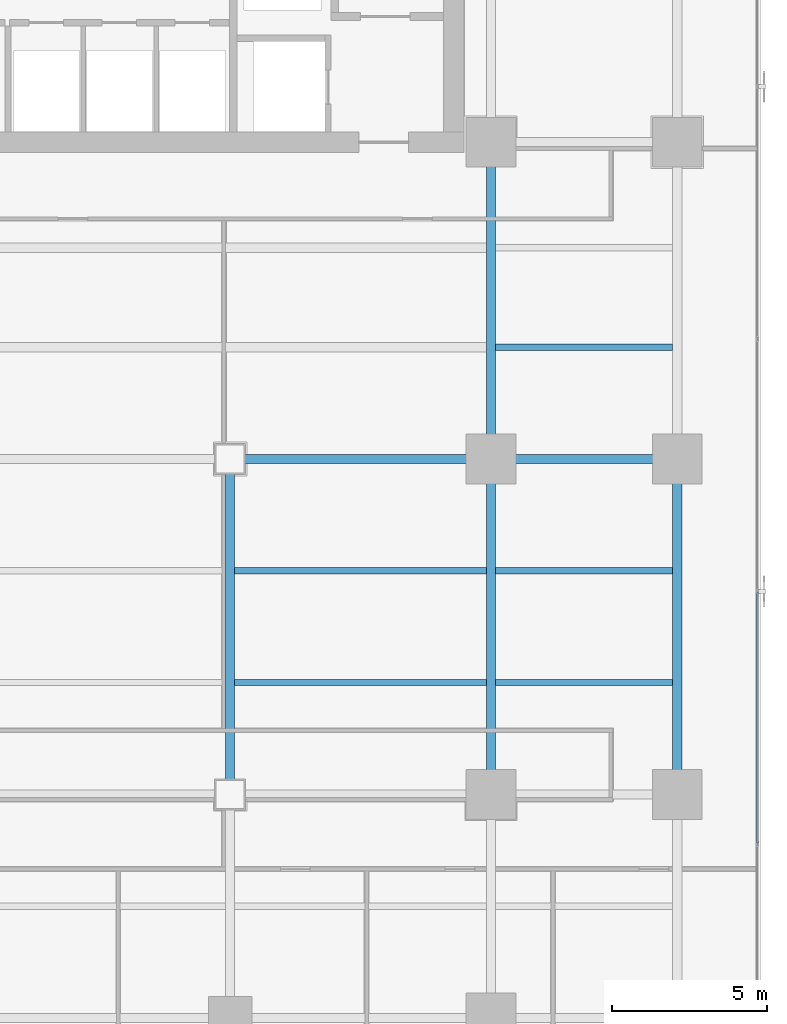
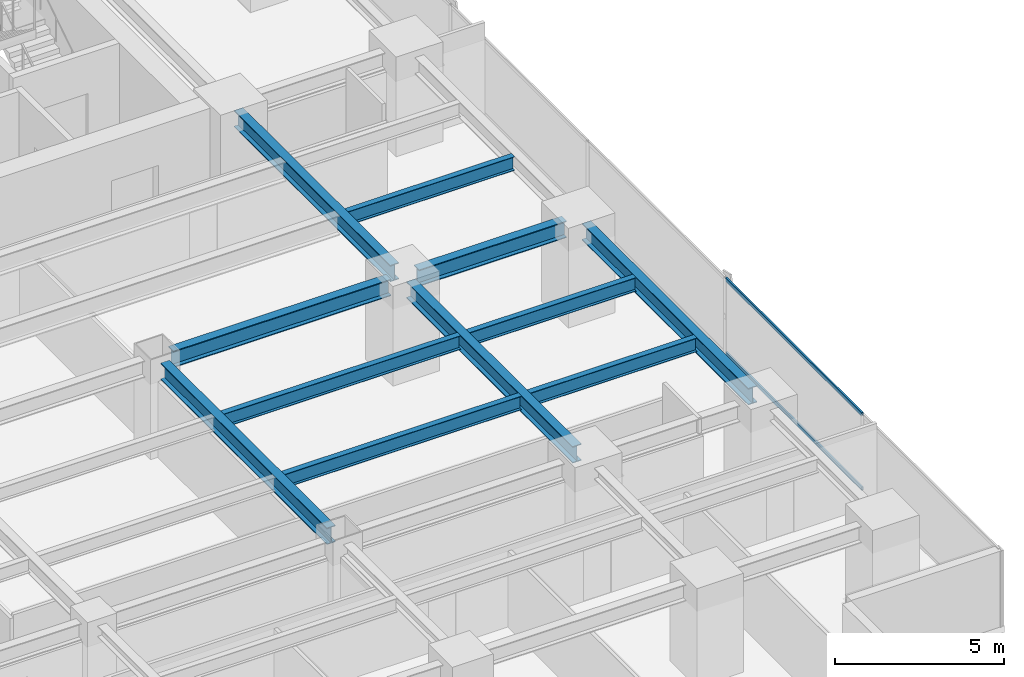
# One storey, part 15 of 37: 11 beams, 2 members, 1 element without a shape of its own.
"""IFC4 building model written with IfcOpenShell, lengths in metres."""

from ifc_helpers import new_model, si_unit, direction, frame, origin, origin_2d, place, context, subcontext, project, spatial, hollow_rectangle, i_section, extrude, source, transform, mapped, material, layer, layer_set, material_profile, profile_set, type_object, element, aggregate, save


model = new_model("IFC4")

# Units and contexts
model_context = context("Model", 3, precision=1e-05, world=origin(), true_north=direction((0.0, 1.0)))
body_context = subcontext(model_context, "Body", "Model", "MODEL_VIEW")
ifc_project = project(units=[si_unit("LENGTHUNIT", "METRE"), si_unit("AREAUNIT", "SQUARE_METRE"), si_unit("VOLUMEUNIT", "CUBIC_METRE"), si_unit("PLANEANGLEUNIT", "RADIAN"), si_unit("MASSUNIT", "GRAM", prefix="KILO")], contexts=[model_context])

# Site, building, storey
site_placement = place(None, origin())
site = spatial("IfcSite", under=ifc_project, at=site_placement, CompositionType="ELEMENT")
building_placement = place(site_placement, origin())
building = spatial("IfcBuilding", under=site, at=building_placement, Name="Sumidabori Civic Tower", CompositionType="ELEMENT")
storey_placement = place(building_placement, frame((0.0, 0.0, 88.39990234375)))
storey = spatial("IfcBuildingStorey", under=building, at=storey_placement, Name="L22", CompositionType="ELEMENT", Elevation=88.39990234375)

# Beams
ifc_material_1 = material(Name="Steel SN490", Category="steel")
ifc_material_profile_1 = material_profile(ifc_material_1, i_section(OverallWidth=0.300048828125, OverallDepth=0.60009765625, WebThickness=0.015380859375, FlangeThickness=0.030029296875, at=origin_2d()), Name="HE 600 B")
ifc_profile_set_1 = profile_set([ifc_material_profile_1], Name="Steel SN490")
beam_type_1 = type_object("IfcBeamType", Name="BM-GIRD-600", PredefinedType="BEAM", material=ifc_profile_set_1)
shared_shape_1 = source(origin(), body_context, "Body", "SweptSolid", [
    extrude(i_section(OverallWidth=0.300048828125, OverallDepth=0.60009765625, WebThickness=0.015380859375, FlangeThickness=0.030029296875, at=origin_2d()), origin(), (0.0, 0.0, 1.0), 5.0400390625),
])
beam_1_placement = place(storey_placement, frame((17.280029296875, 0.0, 3.06005859375), z_axis=(1.0, 0.0, 0.0), x_axis=(0.0, 1.0, 0.0)))
element("IfcBeam", 1, at=beam_1_placement, inside=storey, type_object=beam_type_1, Name="Primary Girder L22 GX-18", PredefinedType="BEAM", context=body_context, shape_type="MappedRepresentation", body=[
    mapped(shared_shape_1, transform((0.0, 0.0, 0.0), x_axis=(1.0, 0.0, 0.0), y_axis=(0.0, 1.0, 0.0), z_axis=(0.0, 0.0, 1.0), scale=1.0)),
])
shared_shape_2 = source(origin(), body_context, "Body", "SweptSolid", [
    extrude(i_section(OverallWidth=0.300048828125, OverallDepth=0.60009765625, WebThickness=0.015380859375, FlangeThickness=0.030029296875, at=origin_2d()), origin(), (0.0, 0.0, 1.0), 7.440185546875),
])
beam_2_placement = place(storey_placement, frame((8.8798828125, 0.0, 3.06005859375), z_axis=(1.0, 0.0, 0.0), x_axis=(0.0, 1.0, 0.0)))
element("IfcBeam", 2, at=beam_2_placement, inside=storey, type_object=beam_type_1, Name="Primary Girder L22 GX-17", PredefinedType="BEAM", context=body_context, shape_type="MappedRepresentation", body=[
    mapped(shared_shape_2, transform((0.0, 0.0, 0.0), x_axis=(1.0, 0.0, 0.0), y_axis=(0.0, 1.0, 0.0), z_axis=(0.0, 0.0, 1.0), scale=1.0)),
])
shared_shape_3 = source(origin(), body_context, "Body", "SweptSolid", [
    extrude(i_section(OverallWidth=0.300048828125, OverallDepth=0.60009765625, WebThickness=0.015380859375, FlangeThickness=0.030029296875, at=origin_2d()), origin(), (0.0, 0.0, 1.0), 9.840087890625),
])
for number, where, z_axis, x_axis, name in (
    (3, (8.39990234375, -10.320068359375, 3.06005859375), (0.0, 1.0, 0.0), (-1.0, 0.0, 0.0), "Primary Girder L22 GY-34"),
    (4, (16.800048828125, -10.320068359375, 3.06005859375), (0.0, 1.0, 0.0), (-1.0, 0.0, 0.0), "Primary Girder L22 GY-36"),
    (5, (22.800048828125, -10.320068359375, 3.06005859375), (0.0, 1.0, 0.0), (-1.0, 0.0, 0.0), "Primary Girder L22 GY-40"),
):
    element("IfcBeam", number, at=place(storey_placement, frame(where, z_axis=z_axis, x_axis=x_axis)), inside=storey, type_object=beam_type_1, Name=name, PredefinedType="BEAM", context=body_context, shape_type="MappedRepresentation", body=[
        mapped(shared_shape_3, transform((0.0, 0.0, 0.0), x_axis=(1.0, 0.0, 0.0), y_axis=(0.0, 1.0, 0.0), z_axis=(0.0, 0.0, 1.0), scale=1.0)),
    ])
shared_shape_4 = source(origin(), body_context, "Body", "SweptSolid", [
    extrude(i_section(OverallWidth=0.300048828125, OverallDepth=0.60009765625, WebThickness=0.015380859375, FlangeThickness=0.030029296875, at=origin_2d()), origin(), (0.0, 0.0, 1.0), 9.239990234375),
])
beam_3_placement = place(storey_placement, frame((16.800048828125, 0.47998046875, 3.06005859375), z_axis=(0.0, 1.0, 0.0), x_axis=(-1.0, 0.0, 0.0)))
element("IfcBeam", 6, at=beam_3_placement, inside=storey, type_object=beam_type_1, Name="Primary Girder L22 GY-37", PredefinedType="BEAM", context=body_context, shape_type="MappedRepresentation", body=[
    mapped(shared_shape_4, transform((0.0, 0.0, 0.0), x_axis=(1.0, 0.0, 0.0), y_axis=(0.0, 1.0, 0.0), z_axis=(0.0, 0.0, 1.0), scale=1.0)),
])
ifc_material_profile_2 = material_profile(ifc_material_1, i_section(OverallWidth=0.199951171875, OverallDepth=0.5, WebThickness=0.01025390625, FlangeThickness=0.01611328125, at=origin_2d()), Name="IPE 500")
ifc_profile_set_2 = profile_set([ifc_material_profile_2], Name="Steel SN490")
beam_type_2 = type_object("IfcBeamType", Name="BM-JST-500", PredefinedType="JOIST", material=ifc_profile_set_2)
shared_shape_5 = source(origin(), body_context, "Body", "SweptSolid", [
    extrude(i_section(OverallWidth=0.199951171875, OverallDepth=0.5, WebThickness=0.01025390625, FlangeThickness=0.01611328125, at=origin_2d()), origin(), (0.0, 0.0, 1.0), 5.699951171875),
])
for number, where, z_axis, x_axis, name in (
    (7, (16.949951171875, -7.199951171875, 3.110107421875), (1.0, 0.0, 0.0), (0.0, 1.0, 0.0), "Outer Bay Floor Joist L22 JSTO-44"),
    (8, (16.949951171875, -3.60009765625, 3.110107421875), (1.0, 0.0, 0.0), (0.0, 1.0, 0.0), "Outer Bay Floor Joist L22 JSTO-46"),
    (9, (16.949951171875, 3.60009765625, 3.110107421875), (1.0, 0.0, 0.0), (0.0, 1.0, 0.0), "Outer Bay Floor Joist L22 JSTO-48"),
):
    element("IfcBeam", number, at=place(storey_placement, frame(where, z_axis=z_axis, x_axis=x_axis)), inside=storey, type_object=beam_type_2, Name=name, PredefinedType="JOIST", context=body_context, shape_type="MappedRepresentation", body=[
        mapped(shared_shape_5, transform((0.0, 0.0, 0.0), x_axis=(1.0, 0.0, 0.0), y_axis=(0.0, 1.0, 0.0), z_axis=(0.0, 0.0, 1.0), scale=1.0)),
    ])
shared_shape_6 = source(origin(), body_context, "Body", "SweptSolid", [
    extrude(i_section(OverallWidth=0.199951171875, OverallDepth=0.5, WebThickness=0.01025390625, FlangeThickness=0.01611328125, at=origin_2d()), origin(), (0.0, 0.0, 1.0), 8.099853515625),
])
for number, where, z_axis, x_axis, name in (
    (10, (8.550048828125, -7.199951171875, 3.110107421875), (1.0, 0.0, 0.0), (0.0, 1.0, 0.0), "South Bay Floor Joist L22 JSTS-62"),
    (11, (8.550048828125, -3.60009765625, 3.110107421875), (1.0, 0.0, 0.0), (0.0, 1.0, 0.0), "South Bay Floor Joist L22 JSTS-66"),
):
    element("IfcBeam", number, at=place(storey_placement, frame(where, z_axis=z_axis, x_axis=x_axis)), inside=storey, type_object=beam_type_2, Name=name, PredefinedType="JOIST", context=body_context, shape_type="MappedRepresentation", body=[
        mapped(shared_shape_6, transform((0.0, 0.0, 0.0), x_axis=(1.0, 0.0, 0.0), y_axis=(0.0, 1.0, 0.0), z_axis=(0.0, 0.0, 1.0), scale=1.0)),
    ])

# Curtain wall, members
ifc_material_2 = material(Name="Anodised Bronze Aluminium AW-6063-T6", Category="aluminium")
ifc_layer = layer(ifc_material_2, 0.179931640625, Name="Anodised Bronze Aluminium AW-6063-T6")
ifc_layer_set = layer_set([ifc_layer], Name="Anodised Bronze Aluminium AW-6063-T6")
curtain_wall_type = type_object("IfcCurtainWallType", Name="CW-SYS-3", PredefinedType="NOTDEFINED", material=ifc_layer_set)
curtain_wall_placement = place(storey_placement, origin())
curtain_wall = element("IfcCurtainWall", 12, at=curtain_wall_placement, inside=storey, type_object=curtain_wall_type, Name="Curtain Wall CW:L22:R04", PredefinedType="NOTDEFINED")
ifc_material_profile_3 = material_profile(ifc_material_2, hollow_rectangle(XDim=0.06005859375, YDim=0.1298828125, WallThickness=0.0048828125, at=origin_2d()), Name="ALU TRANSOM 130x60")
ifc_profile_set_3 = profile_set([ifc_material_profile_3], Name="Anodised Bronze Aluminium AW-6063-T6")
member_type = type_object("IfcMemberType", Name="CW-TRN-130", PredefinedType="USERDEFINED", material=ifc_profile_set_3)
shared_shape_7 = source(origin(), body_context, "Body", "SweptSolid", [
    extrude(hollow_rectangle(XDim=0.06005859375, YDim=0.1298828125, WallThickness=0.0048828125, at=origin_2d()), origin(), (0.0, 0.0, 1.0), 8.063232421875),
])
member_1_placement = place(storey_placement, frame((25.3798828125, -12.359619140625, 0.030029296875), z_axis=(0.0, 1.0, 0.0), x_axis=(-1.0, 0.0, 0.0)))
member_1 = element("IfcMember", 13, at=member_1_placement, type_object=member_type, Name="CW-3 transom 2.1", ObjectType="TRANSOM", PredefinedType="USERDEFINED", context=body_context, shape_type="MappedRepresentation", body=[
    mapped(shared_shape_7, transform((0.0, 0.0, 0.0), x_axis=(1.0, 0.0, 0.0), y_axis=(0.0, 1.0, 0.0), z_axis=(0.0, 0.0, 1.0), scale=1.0)),
])
member_2_placement = place(storey_placement, frame((25.3798828125, -12.359619140625, 2.710205078125), z_axis=(0.0, 1.0, 0.0), x_axis=(-1.0, 0.0, 0.0)))
member_2 = element("IfcMember", 14, at=member_2_placement, type_object=member_type, Name="CW-3 transom 2.2", ObjectType="TRANSOM", PredefinedType="USERDEFINED", context=body_context, shape_type="MappedRepresentation", body=[
    mapped(shared_shape_7, transform((0.0, 0.0, 0.0), x_axis=(1.0, 0.0, 0.0), y_axis=(0.0, 1.0, 0.0), z_axis=(0.0, 0.0, 1.0), scale=1.0)),
])
aggregate(curtain_wall, [member_1, member_2])

save(model, "model.ifc")
